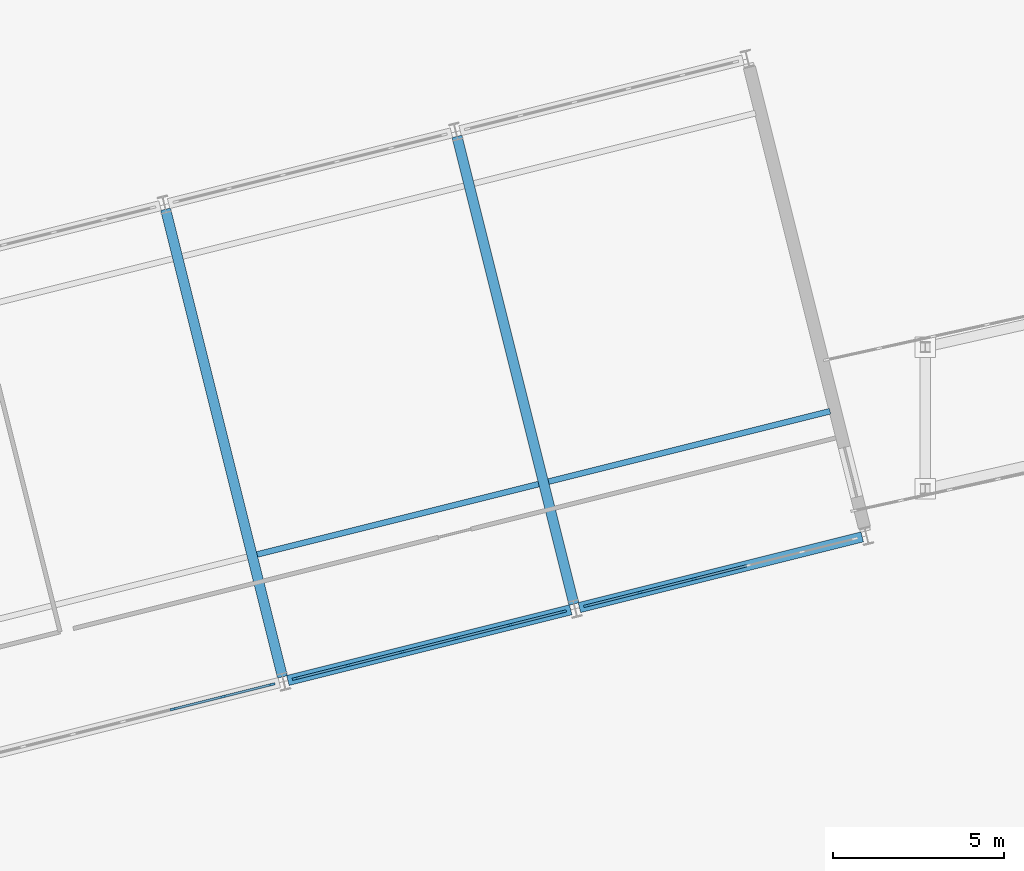
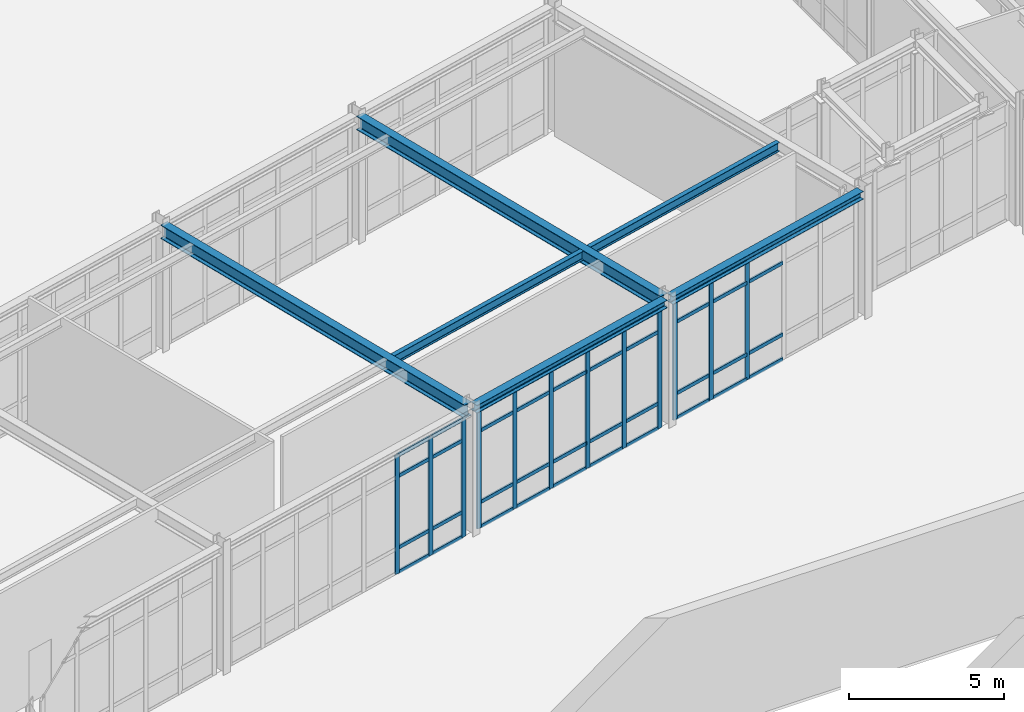
# One storey, part 30 of 109: 51 members, 6 beams, 3 elements without a shape of their own.
"""IFC4 building model written with IfcOpenShell, lengths in metres."""

import ifcopenshell
import ifcopenshell.guid

model = None  # the IFC model being written
_history = None  # IfcOwnerHistory: only IFC2X3 demands one
_inside = {}  # id of a spatial element -> (the spatial element, [elements in it])
_under = {}  # id of a project, library or spatial element -> (it, [spatial elements below it])
_declared = {}  # id of a project -> (the project, [libraries it declares])
_typed = {}  # id of a type object -> (the type object, [elements of that type])
_made_of = {}  # id of a material, layer set ... -> (it, [elements and type objects made of it])


def new_model(schema):
    """Start an empty IFC model of exactly this schema.

    Asked for "IFC4X3", IfcOpenShell would pick the latest addendum, in which some entities
    have other attributes; the version numbers below select the first issue.
    IFC2X3 requires an IfcOwnerHistory on every rooted entity: one is made here for all.
    """
    global model, _history
    if schema == "IFC4X3":
        model = ifcopenshell.file(schema_version=(4, 3, 0, 0))
    else:
        model = ifcopenshell.file(schema=schema)
    _inside.clear()
    _under.clear()
    _declared.clear()
    _typed.clear()
    _made_of.clear()
    _history = None
    if model.schema == "IFC2X3":
        org = make("IfcOrganization", Name="unknown")
        user = make(
            "IfcPersonAndOrganization",
            ThePerson=make("IfcPerson", FamilyName="unknown"),
            TheOrganization=org,
        )
        app = make(
            "IfcApplication",
            ApplicationDeveloper=org,
            Version="unknown",
            ApplicationFullName="unknown",
            ApplicationIdentifier="unknown",
        )
        _history = make(
            "IfcOwnerHistory",
            OwningUser=user,
            OwningApplication=app,
            ChangeAction="ADDED",
            CreationDate=0,
        )
    return model


def make(cls, **values):
    """One entity of the class cls with the attributes given. An attribute that is None is left unset."""
    return model.create_entity(
        cls, **{name: value for name, value in values.items() if value is not None}
    )


def rooted(cls, **values):
    """An entity with a GlobalId (a new one), such as an element, a storey or a relation."""
    return make(cls, GlobalId=ifcopenshell.guid.new(), OwnerHistory=_history, **values)


def si_unit(unit_type, name, prefix=None):
    """IfcSIUnit, for example si_unit("LENGTHUNIT", "METRE", prefix="MILLI")."""
    return make("IfcSIUnit", UnitType=unit_type, Prefix=prefix, Name=name)


def assignment(units):
    """IfcUnitAssignment: the units of a project."""
    return None if units is None else make("IfcUnitAssignment", Units=units)


def point(xyz):
    """IfcCartesianPoint."""
    return None if xyz is None else make("IfcCartesianPoint", Coordinates=xyz)


def direction(xyz):
    """IfcDirection."""
    return None if xyz is None else make("IfcDirection", DirectionRatios=xyz)


def frame(location, z_axis=None, x_axis=None):
    """IfcAxis2Placement3D, a coordinate frame: its origin and axes. An axis left out is left unset."""
    return make(
        "IfcAxis2Placement3D",
        Location=point(location),
        Axis=direction(z_axis),
        RefDirection=direction(x_axis),
    )


def frame_2d(location, x_axis=None):
    """IfcAxis2Placement2D, a coordinate frame in the plane: its origin and x axis."""
    return make(
        "IfcAxis2Placement2D", Location=point(location), RefDirection=direction(x_axis)
    )


def origin():
    """The frame at (0, 0, 0) with its axes left unset."""
    return frame((0.0, 0.0, 0.0))


def origin_2d():
    """The frame at (0, 0) in the plane with its x axis left unset."""
    return frame_2d((0.0, 0.0))


def place(relative_to, where):
    """IfcLocalPlacement: puts the frame where relative to a parent placement (None: the world)."""
    return make(
        "IfcLocalPlacement", PlacementRelTo=relative_to, RelativePlacement=where
    )


def context(
    kind, dimensions, precision=None, world=None, true_north=None, identifier=None
):
    """IfcGeometricRepresentationContext, for example the 3D "Model" context."""
    return make(
        "IfcGeometricRepresentationContext",
        ContextIdentifier=identifier,
        ContextType=kind,
        CoordinateSpaceDimension=dimensions,
        Precision=precision,
        WorldCoordinateSystem=world,
        TrueNorth=true_north,
    )


def subcontext(parent, identifier, kind, view, scale=None):
    """IfcGeometricRepresentationSubContext, for example "Body" below "Model"."""
    return make(
        "IfcGeometricRepresentationSubContext",
        ContextIdentifier=identifier,
        ContextType=kind,
        ParentContext=parent,
        TargetScale=scale,
        TargetView=view,
    )


def project(units=None, contexts=None):
    """IfcProject with its units and contexts."""
    return rooted(
        "IfcProject",
        Name="project",
        RepresentationContexts=contexts,
        UnitsInContext=assignment(units),
    )


def spatial(cls, under=None, at=None, **own):
    """A site, building, storey or space (cls), placed at a placement, below another one or the project."""
    s = rooted(cls, ObjectPlacement=at, **own)
    if under is not None:
        _under.setdefault(under.id(), (under, []))[1].append(s)
    return s


def profile(cls, at=None, kind="AREA", **sizes):
    """A parametric profile (cls). Its sizes go by their IFC names, for example OverallWidth=200.0."""
    return make(cls, ProfileType=kind, Position=at, **sizes)


def rectangle(**sizes):
    """IfcRectangleProfileDef."""
    return profile("IfcRectangleProfileDef", **sizes)


def i_section(**sizes):
    """IfcIShapeProfileDef."""
    return profile("IfcIShapeProfileDef", **sizes)


def extrude(swept, where, along, depth):
    """IfcExtrudedAreaSolid: the profile swept, set in the frame where, extruded along a direction by depth."""
    return make(
        "IfcExtrudedAreaSolid",
        SweptArea=swept,
        Position=where,
        ExtrudedDirection=direction(along),
        Depth=depth,
    )


def shape(context_of_items, identifier, shape_type, items):
    """IfcShapeRepresentation: the items that make up one representation, for example the "Body"."""
    return make(
        "IfcShapeRepresentation",
        ContextOfItems=context_of_items,
        RepresentationIdentifier=identifier,
        RepresentationType=shape_type,
        Items=items,
    )


def material(Name=None, Category=None):
    """IfcMaterial."""
    return make("IfcMaterial", Name=Name, Category=Category)


def layer(
    of_material, thickness, ventilated=None, Name=None, Category=None, Priority=None
):
    """IfcMaterialLayer: one layer of a wall or slab, of a material (None: an air gap)."""
    return make(
        "IfcMaterialLayer",
        Material=of_material,
        LayerThickness=thickness,
        IsVentilated=ventilated,
        Name=Name,
        Category=Category,
        Priority=Priority,
    )


def layer_set(layers, Name=None):
    """IfcMaterialLayerSet."""
    return make("IfcMaterialLayerSet", MaterialLayers=layers, LayerSetName=Name)


def material_profile(
    of_material, cross_section, Name=None, Category=None, Priority=None
):
    """IfcMaterialProfile: a cross section and its material."""
    return make(
        "IfcMaterialProfile",
        Name=Name,
        Material=of_material,
        Profile=cross_section,
        Priority=Priority,
        Category=Category,
    )


def profile_set(profiles, Name=None, composite=None):
    """IfcMaterialProfileSet."""
    return make(
        "IfcMaterialProfileSet",
        Name=Name,
        MaterialProfiles=profiles,
        CompositeProfile=composite,
    )


def made_of(thing, what):
    """Note that an element or type object is made of a material, layer set ...; save() writes the relation."""
    if what is not None:
        _made_of.setdefault(what.id(), (what, []))[1].append(thing)
    return thing


def type_object(cls, material=None, **own):
    """A type object (cls), such as IfcWallType, which elements share."""
    return made_of(rooted(cls, **own), material)


def element(
    cls,
    number,
    at=None,
    inside=None,
    cuts=None,
    type_object=None,
    material=None,
    context=None,
    identifier="Body",
    shape_type=None,
    held_by="IfcProductDefinitionShape",
    body=None,
    shapes=None,
    **own,
):
    """One element of the class cls, such as IfcWall. Its Tag is "e" and its number.

    at: its placement. inside: the storey or other place that contains it. cuts: it is an
    opening in that element (IfcRelVoidsElement). A single representation is given by context,
    identifier, shape_type and body (its items); several are given by shapes. held_by: the class
    of the entity that holds the representations. save() writes the other relations.
    """
    e = rooted(cls, Tag="e%d" % number, ObjectPlacement=at, **own)
    if body is not None:
        shapes = [shape(context, identifier, shape_type, body)]
    if shapes is not None:
        e.Representation = make(held_by, Representations=shapes)
    if inside is not None:
        _inside.setdefault(inside.id(), (inside, []))[1].append(e)
    if cuts is not None:
        rooted(
            "IfcRelVoidsElement", RelatingBuildingElement=cuts, RelatedOpeningElement=e
        )
    if type_object is not None:
        _typed.setdefault(type_object.id(), (type_object, []))[1].append(e)
    return made_of(e, material)


def aggregate(whole, parts):
    """IfcRelAggregates: a whole, such as a stair, and the parts it consists of."""
    return rooted("IfcRelAggregates", RelatingObject=whole, RelatedObjects=parts)


def save(model, path):
    """Write the relations noted so far, then the file.

    IfcRelAggregates (storeys below a building ...), IfcRelContainedInSpatialStructure (elements
    in a storey), IfcRelDefinesByType, IfcRelAssociatesMaterial and IfcRelDeclares: one each for
    every whole, place, type object, material and project.
    """
    for whole, parts in _under.values():
        aggregate(whole, parts)
    for where, things in _inside.values():
        rooted(
            "IfcRelContainedInSpatialStructure",
            RelatedElements=things,
            RelatingStructure=where,
        )
    for kind, things in _typed.values():
        rooted("IfcRelDefinesByType", RelatedObjects=things, RelatingType=kind)
    for what, things in _made_of.values():
        rooted("IfcRelAssociatesMaterial", RelatedObjects=things, RelatingMaterial=what)
    for by, libraries in _declared.values():
        rooted("IfcRelDeclares", RelatingContext=by, RelatedDefinitions=libraries)
    model.write(path)


model = new_model("IFC4")

# Units and contexts
model_context = context("Model", 3, precision=1e-05, world=origin(), true_north=direction((0.0, 1.0)))
body_context = subcontext(model_context, "Body", "Model", "MODEL_VIEW")
ifc_project = project(units=[si_unit("LENGTHUNIT", "METRE"), si_unit("AREAUNIT", "SQUARE_METRE"), si_unit("VOLUMEUNIT", "CUBIC_METRE"), si_unit("PLANEANGLEUNIT", "RADIAN"), si_unit("MASSUNIT", "GRAM", prefix="KILO")], contexts=[model_context])

# Site, building, storey
site_placement = place(None, origin())
site = spatial("IfcSite", under=ifc_project, at=site_placement, CompositionType="ELEMENT")
building_placement = place(site_placement, origin())
building = spatial("IfcBuilding", under=site, at=building_placement, Name="Nordkorset Police Headquarters", CompositionType="ELEMENT")
storey_placement = place(building_placement, origin())
storey = spatial("IfcBuildingStorey", under=building, at=storey_placement, Name="L00", CompositionType="ELEMENT", Elevation=0.0)

# Beams
ifc_material_1 = material(Name="Steel S355J2", Category="steel")
ifc_material_profile_1 = material_profile(ifc_material_1, i_section(OverallWidth=0.169921875, OverallDepth=0.360107421875, WebThickness=0.008056640625, FlangeThickness=0.0126953125, FilletRadius=0.01806640625, at=origin_2d()), Name="IPE 360")
ifc_profile_set_1 = profile_set([ifc_material_profile_1], Name="Steel S355J2")
beam_type_1 = type_object("IfcBeamType", Name="Beam_IPE_360", PredefinedType="BEAM", material=ifc_profile_set_1)
for number, where, z_axis, x_axis, name in (
    (1, (61.629638671875, 55.42431640625, 4.820068359375), (0.970142500145, 0.242535625036, 0.0), (-0.242535625036, 0.970142500145, 0.0), "Splayed Wing Secondary Beam L00 4-1"),
    (2, (70.166748046875, 57.55859375, 4.820068359375), (0.970144189653, 0.242528866904, 0.0), (-0.242528866904, 0.970144189653, 0.0), "Splayed Wing Secondary Beam L00 5-1"),
):
    element("IfcBeam", number, at=place(storey_placement, frame(where, z_axis=z_axis, x_axis=x_axis)), inside=storey, type_object=beam_type_1, Name=name, PredefinedType="BEAM", context=body_context, shape_type="SweptSolid", body=[
        extrude(i_section(OverallWidth=0.169921875, OverallDepth=0.360107421875, WebThickness=0.008056640625, FlangeThickness=0.0126953125, FilletRadius=0.01806640625, at=origin_2d()), origin(), (0.0, 0.0, 1.0), 8.5),
    ])

# Curtain wall, members
ifc_material_2 = material(Name="Aluminium alloy AW-6060", Category="aluminium")
ifc_layer_1 = layer(ifc_material_2, 0.179931640625, Name="Aluminium alloy AW-6060")
ifc_layer_set_1 = layer_set([ifc_layer_1], Name="Aluminium alloy AW-6060")
curtain_wall_type_1 = type_object("IfcCurtainWallType", Name="CW_Unit_1056x467", PredefinedType="USERDEFINED", material=ifc_layer_set_1)
curtain_wall_1_placement = place(storey_placement, origin())
curtain_wall_1 = element("IfcCurtainWall", 3, at=curtain_wall_1_placement, inside=storey, type_object=curtain_wall_type_1, Name="Unitised Curtain Wall L00 V4S-3", ObjectType="UNITISED CURTAIN WALL", PredefinedType="USERDEFINED")
ifc_material_3 = material(Name="Aluminium alloy AW-6060", Category="aluminium")
ifc_material_profile_2 = material_profile(ifc_material_3, rectangle(XDim=0.06494140625, YDim=0.179931640625, at=origin_2d()), Name="ALU MULL 65x180")
ifc_profile_set_2 = profile_set([ifc_material_profile_2], Name="Aluminium alloy AW-6060")
member_type_1 = type_object("IfcMemberType", Name="CW_Mullion_65x180", PredefinedType="MULLION", material=ifc_profile_set_2)
member_1_placement = place(storey_placement, frame((59.168212890625, 50.89208984375, 0.0), z_axis=(0.0, 0.0, 1.0), x_axis=(-0.242535179399, 0.970142611554, 0.0)))
member_1 = element("IfcMember", 4, at=member_1_placement, type_object=member_type_1, Name="CW-18 mullion 6", PredefinedType="MULLION", context=body_context, shape_type="SweptSolid", body=[
    extrude(rectangle(XDim=0.06494140625, YDim=0.179931640625, at=origin_2d()), origin(), (0.0, 0.0, 1.0), 4.669921875),
])
member_2_placement = place(storey_placement, frame((60.6318359375, 51.2578125, 0.0), z_axis=(0.0, 0.0, 1.0), x_axis=(-0.242535179399, 0.970142611554, 0.0)))
member_2 = element("IfcMember", 5, at=member_2_placement, type_object=member_type_1, Name="CW-18 mullion 7", PredefinedType="MULLION", context=body_context, shape_type="SweptSolid", body=[
    extrude(rectangle(XDim=0.06494140625, YDim=0.179931640625, at=origin_2d()), origin(), (0.0, 0.0, 1.0), 4.669921875),
])
member_3_placement = place(storey_placement, frame((62.063720703125, 51.615966796875, 0.0), z_axis=(0.0, 0.0, 1.0), x_axis=(-0.242535179399, 0.970142611554, 0.0)))
member_3 = element("IfcMember", 6, at=member_3_placement, type_object=member_type_1, Name="CW-18 mullion 8", PredefinedType="MULLION", context=body_context, shape_type="SweptSolid", body=[
    extrude(rectangle(XDim=0.06494140625, YDim=0.179931640625, at=origin_2d()), origin(), (0.0, 0.0, 1.0), 4.669921875),
])

ifc_material_4 = material(Name="Aluminium alloy AW-6060", Category="aluminium")
ifc_layer_2 = layer(ifc_material_4, 0.179931640625, Name="Aluminium alloy AW-6060")
ifc_layer_set_2 = layer_set([ifc_layer_2], Name="Aluminium alloy AW-6060")
curtain_wall_type_2 = type_object("IfcCurtainWallType", Name="CW_Unit_816x467", PredefinedType="USERDEFINED", material=ifc_layer_set_2)
curtain_wall_2_placement = place(storey_placement, origin())
curtain_wall_2 = element("IfcCurtainWall", 7, at=curtain_wall_2_placement, inside=storey, type_object=curtain_wall_type_2, Name="Unitised Curtain Wall L00 V4S-4", ObjectType="UNITISED CURTAIN WALL", PredefinedType="USERDEFINED")
member_4_placement = place(storey_placement, frame((62.74755859375, 51.786865234375, 0.0), z_axis=(0.0, 0.0, 1.0), x_axis=(-0.242535625038, 0.970142500145, 0.0)))
member_4 = element("IfcMember", 8, at=member_4_placement, type_object=member_type_1, Name="CW-80 mullion 1", PredefinedType="MULLION", context=body_context, shape_type="SweptSolid", body=[
    extrude(rectangle(XDim=0.06494140625, YDim=0.179931640625, at=origin_2d()), origin(), (0.0, 0.0, 1.0), 4.669921875),
])
member_5_placement = place(storey_placement, frame((64.29931640625, 52.1748046875, 0.0), z_axis=(0.0, 0.0, 1.0), x_axis=(-0.242535625038, 0.970142500145, 0.0)))
member_5 = element("IfcMember", 9, at=member_5_placement, type_object=member_type_1, Name="CW-80 mullion 2", PredefinedType="MULLION", context=body_context, shape_type="SweptSolid", body=[
    extrude(rectangle(XDim=0.06494140625, YDim=0.179931640625, at=origin_2d()), origin(), (0.0, 0.0, 1.0), 4.669921875),
])
member_6_placement = place(storey_placement, frame((65.8828125, 52.570556640625, 0.0), z_axis=(0.0, 0.0, 1.0), x_axis=(-0.242535625038, 0.970142500145, 0.0)))
member_6 = element("IfcMember", 10, at=member_6_placement, type_object=member_type_1, Name="CW-80 mullion 3", PredefinedType="MULLION", context=body_context, shape_type="SweptSolid", body=[
    extrude(rectangle(XDim=0.06494140625, YDim=0.179931640625, at=origin_2d()), origin(), (0.0, 0.0, 1.0), 4.669921875),
])
member_7_placement = place(storey_placement, frame((67.466064453125, 52.966552734375, 0.0), z_axis=(0.0, 0.0, 1.0), x_axis=(-0.242535625038, 0.970142500145, 0.0)))
member_7 = element("IfcMember", 11, at=member_7_placement, type_object=member_type_1, Name="CW-80 mullion 4", PredefinedType="MULLION", context=body_context, shape_type="SweptSolid", body=[
    extrude(rectangle(XDim=0.06494140625, YDim=0.179931640625, at=origin_2d()), origin(), (0.0, 0.0, 1.0), 4.669921875),
])
member_8_placement = place(storey_placement, frame((69.04931640625, 53.3623046875, 0.0), z_axis=(0.0, 0.0, 1.0), x_axis=(-0.242535625038, 0.970142500145, 0.0)))
member_8 = element("IfcMember", 12, at=member_8_placement, type_object=member_type_1, Name="CW-80 mullion 5", PredefinedType="MULLION", context=body_context, shape_type="SweptSolid", body=[
    extrude(rectangle(XDim=0.06494140625, YDim=0.179931640625, at=origin_2d()), origin(), (0.0, 0.0, 1.0), 4.669921875),
])
member_9_placement = place(storey_placement, frame((70.60107421875, 53.750244140625, 0.0), z_axis=(0.0, 0.0, 1.0), x_axis=(-0.242535625038, 0.970142500145, 0.0)))
member_9 = element("IfcMember", 13, at=member_9_placement, type_object=member_type_1, Name="CW-80 mullion 6", PredefinedType="MULLION", context=body_context, shape_type="SweptSolid", body=[
    extrude(rectangle(XDim=0.06494140625, YDim=0.179931640625, at=origin_2d()), origin(), (0.0, 0.0, 1.0), 4.669921875),
])

curtain_wall_3_placement = place(storey_placement, origin())
curtain_wall_3 = element("IfcCurtainWall", 14, at=curtain_wall_3_placement, inside=storey, type_object=curtain_wall_type_2, Name="Unitised Curtain Wall L00 V4S-5", ObjectType="UNITISED CURTAIN WALL", PredefinedType="USERDEFINED")
member_10_placement = place(storey_placement, frame((71.284912109375, 53.921142578125, 0.0), z_axis=(0.0, 0.0, 1.0), x_axis=(-0.242535625038, 0.970142500145, 0.0)))
member_10 = element("IfcMember", 15, at=member_10_placement, type_object=member_type_1, Name="CW-80 mullion 1", PredefinedType="MULLION", context=body_context, shape_type="SweptSolid", body=[
    extrude(rectangle(XDim=0.06494140625, YDim=0.179931640625, at=origin_2d()), origin(), (0.0, 0.0, 1.0), 4.669921875),
])
member_11_placement = place(storey_placement, frame((72.836669921875, 54.30908203125, 0.0), z_axis=(0.0, 0.0, 1.0), x_axis=(-0.242535625038, 0.970142500145, 0.0)))
member_11 = element("IfcMember", 16, at=member_11_placement, type_object=member_type_1, Name="CW-80 mullion 2", PredefinedType="MULLION", context=body_context, shape_type="SweptSolid", body=[
    extrude(rectangle(XDim=0.06494140625, YDim=0.179931640625, at=origin_2d()), origin(), (0.0, 0.0, 1.0), 4.669921875),
])
member_12_placement = place(storey_placement, frame((74.419921875, 54.705078125, 0.0), z_axis=(0.0, 0.0, 1.0), x_axis=(-0.242535625038, 0.970142500145, 0.0)))
member_12 = element("IfcMember", 17, at=member_12_placement, type_object=member_type_1, Name="CW-80 mullion 3", PredefinedType="MULLION", context=body_context, shape_type="SweptSolid", body=[
    extrude(rectangle(XDim=0.06494140625, YDim=0.179931640625, at=origin_2d()), origin(), (0.0, 0.0, 1.0), 4.669921875),
])

# Member
ifc_material_5 = material(Name="Aluminium alloy AW-6060", Category="aluminium")
ifc_material_profile_3 = material_profile(ifc_material_5, rectangle(XDim=0.06494140625, YDim=0.139892578125, at=origin_2d()), Name="ALU TRAN 65x140")
ifc_profile_set_3 = profile_set([ifc_material_profile_3], Name="Aluminium alloy AW-6060")
member_type_2 = type_object("IfcMemberType", Name="CW_Transom_65x140", PredefinedType="USERDEFINED", material=ifc_profile_set_3)
member_13_placement = place(storey_placement, frame((59.19970703125, 50.89990234375, 0.032470703125), z_axis=(0.970142500145, 0.242535625036, 0.0), x_axis=(-0.242535625036, 0.970142500145, 0.0)))
member_13 = element("IfcMember", 18, at=member_13_placement, type_object=member_type_2, Name="CW-18 transom 6.1", ObjectType="TRANSOM", PredefinedType="USERDEFINED", context=body_context, shape_type="SweptSolid", body=[
    extrude(rectangle(XDim=0.06494140625, YDim=0.139892578125, at=origin_2d()), origin(), (0.0, 0.0, 1.0), 1.443603515625),
])

member_14_placement = place(storey_placement, frame((59.19970703125, 50.89990234375, 1.0), z_axis=(0.970142500145, 0.242535625036, 0.0), x_axis=(-0.242535625036, 0.970142500145, 0.0)))
member_14 = element("IfcMember", 19, at=member_14_placement, type_object=member_type_2, Name="CW-18 transom 6.2", ObjectType="TRANSOM", PredefinedType="USERDEFINED", context=body_context, shape_type="SweptSolid", body=[
    extrude(rectangle(XDim=0.06494140625, YDim=0.139892578125, at=origin_2d()), origin(), (0.0, 0.0, 1.0), 1.443603515625),
])

member_15_placement = place(storey_placement, frame((59.19970703125, 50.89990234375, 3.820068359375), z_axis=(0.970142500145, 0.242535625036, 0.0), x_axis=(-0.242535625036, 0.970142500145, 0.0)))
member_15 = element("IfcMember", 20, at=member_15_placement, type_object=member_type_2, Name="CW-18 transom 6.3", ObjectType="TRANSOM", PredefinedType="USERDEFINED", context=body_context, shape_type="SweptSolid", body=[
    extrude(rectangle(XDim=0.06494140625, YDim=0.139892578125, at=origin_2d()), origin(), (0.0, 0.0, 1.0), 1.443603515625),
])

member_16_placement = place(storey_placement, frame((59.19970703125, 50.89990234375, 4.637451171875), z_axis=(0.970142500145, 0.242535625036, 0.0), x_axis=(-0.242535625036, 0.970142500145, 0.0)))
member_16 = element("IfcMember", 21, at=member_16_placement, type_object=member_type_2, Name="CW-18 transom 6.4", ObjectType="TRANSOM", PredefinedType="USERDEFINED", context=body_context, shape_type="SweptSolid", body=[
    extrude(rectangle(XDim=0.06494140625, YDim=0.139892578125, at=origin_2d()), origin(), (0.0, 0.0, 1.0), 1.443603515625),
])

member_17_placement = place(storey_placement, frame((60.663330078125, 51.265869140625, 0.032470703125), z_axis=(0.970132321548, 0.242576335796, 0.0), x_axis=(-0.242576335796, 0.970132321548, 0.0)))
member_17 = element("IfcMember", 22, at=member_17_placement, type_object=member_type_2, Name="CW-18 transom 7.1", ObjectType="TRANSOM", PredefinedType="USERDEFINED", context=body_context, shape_type="SweptSolid", body=[
    extrude(rectangle(XDim=0.06494140625, YDim=0.139892578125, at=origin_2d()), origin(), (0.0, 0.0, 1.0), 1.4111328125),
])

member_18_placement = place(storey_placement, frame((60.663330078125, 51.265869140625, 1.0), z_axis=(0.970132321548, 0.242576335796, 0.0), x_axis=(-0.242576335796, 0.970132321548, 0.0)))
member_18 = element("IfcMember", 23, at=member_18_placement, type_object=member_type_2, Name="CW-18 transom 7.2", ObjectType="TRANSOM", PredefinedType="USERDEFINED", context=body_context, shape_type="SweptSolid", body=[
    extrude(rectangle(XDim=0.06494140625, YDim=0.139892578125, at=origin_2d()), origin(), (0.0, 0.0, 1.0), 1.4111328125),
])

member_19_placement = place(storey_placement, frame((60.663330078125, 51.265869140625, 3.820068359375), z_axis=(0.970132321548, 0.242576335796, 0.0), x_axis=(-0.242576335796, 0.970132321548, 0.0)))
member_19 = element("IfcMember", 24, at=member_19_placement, type_object=member_type_2, Name="CW-18 transom 7.3", ObjectType="TRANSOM", PredefinedType="USERDEFINED", context=body_context, shape_type="SweptSolid", body=[
    extrude(rectangle(XDim=0.06494140625, YDim=0.139892578125, at=origin_2d()), origin(), (0.0, 0.0, 1.0), 1.4111328125),
])

member_20_placement = place(storey_placement, frame((60.663330078125, 51.265869140625, 4.637451171875), z_axis=(0.970132321548, 0.242576335796, 0.0), x_axis=(-0.242576335796, 0.970132321548, 0.0)))
member_20 = element("IfcMember", 25, at=member_20_placement, type_object=member_type_2, Name="CW-18 transom 7.4", ObjectType="TRANSOM", PredefinedType="USERDEFINED", context=body_context, shape_type="SweptSolid", body=[
    extrude(rectangle(XDim=0.06494140625, YDim=0.139892578125, at=origin_2d()), origin(), (0.0, 0.0, 1.0), 1.4111328125),
])

aggregate(curtain_wall_1, [member_1, member_2, member_3, member_13, member_14, member_15, member_16, member_17, member_18, member_19, member_20])

member_21_placement = place(storey_placement, frame((62.779296875, 51.794921875, 0.032470703125), z_axis=(0.970151859396, 0.242498184963, 0.0), x_axis=(-0.242498184963, 0.970151859396, 0.0)))
member_21 = element("IfcMember", 26, at=member_21_placement, type_object=member_type_2, Name="CW-80 transom 1.1", ObjectType="TRANSOM", PredefinedType="USERDEFINED", context=body_context, shape_type="SweptSolid", body=[
    extrude(rectangle(XDim=0.06494140625, YDim=0.139892578125, at=origin_2d()), origin(), (0.0, 0.0, 1.0), 1.534423828125),
])

member_22_placement = place(storey_placement, frame((62.779296875, 51.794921875, 1.0), z_axis=(0.970151859396, 0.242498184963, 0.0), x_axis=(-0.242498184963, 0.970151859396, 0.0)))
member_22 = element("IfcMember", 27, at=member_22_placement, type_object=member_type_2, Name="CW-80 transom 1.2", ObjectType="TRANSOM", PredefinedType="USERDEFINED", context=body_context, shape_type="SweptSolid", body=[
    extrude(rectangle(XDim=0.06494140625, YDim=0.139892578125, at=origin_2d()), origin(), (0.0, 0.0, 1.0), 1.534423828125),
])

member_23_placement = place(storey_placement, frame((62.779296875, 51.794921875, 3.820068359375), z_axis=(0.970151859396, 0.242498184963, 0.0), x_axis=(-0.242498184963, 0.970151859396, 0.0)))
member_23 = element("IfcMember", 28, at=member_23_placement, type_object=member_type_2, Name="CW-80 transom 1.3", ObjectType="TRANSOM", PredefinedType="USERDEFINED", context=body_context, shape_type="SweptSolid", body=[
    extrude(rectangle(XDim=0.06494140625, YDim=0.139892578125, at=origin_2d()), origin(), (0.0, 0.0, 1.0), 1.534423828125),
])

member_24_placement = place(storey_placement, frame((62.779296875, 51.794921875, 4.637451171875), z_axis=(0.970151859396, 0.242498184963, 0.0), x_axis=(-0.242498184963, 0.970151859396, 0.0)))
member_24 = element("IfcMember", 29, at=member_24_placement, type_object=member_type_2, Name="CW-80 transom 1.4", ObjectType="TRANSOM", PredefinedType="USERDEFINED", context=body_context, shape_type="SweptSolid", body=[
    extrude(rectangle(XDim=0.06494140625, YDim=0.139892578125, at=origin_2d()), origin(), (0.0, 0.0, 1.0), 1.534423828125),
])

member_25_placement = place(storey_placement, frame((64.3310546875, 52.182861328125, 0.032470703125), z_axis=(0.970160829621, 0.242462295357, 0.0), x_axis=(-0.242462295357, 0.970160829621, 0.0)))
member_25 = element("IfcMember", 30, at=member_25_placement, type_object=member_type_2, Name="CW-80 transom 2.1", ObjectType="TRANSOM", PredefinedType="USERDEFINED", context=body_context, shape_type="SweptSolid", body=[
    extrude(rectangle(XDim=0.06494140625, YDim=0.139892578125, at=origin_2d()), origin(), (0.0, 0.0, 1.0), 1.566650390625),
])

member_26_placement = place(storey_placement, frame((64.3310546875, 52.182861328125, 1.0), z_axis=(0.970160829621, 0.242462295357, 0.0), x_axis=(-0.242462295357, 0.970160829621, 0.0)))
member_26 = element("IfcMember", 31, at=member_26_placement, type_object=member_type_2, Name="CW-80 transom 2.2", ObjectType="TRANSOM", PredefinedType="USERDEFINED", context=body_context, shape_type="SweptSolid", body=[
    extrude(rectangle(XDim=0.06494140625, YDim=0.139892578125, at=origin_2d()), origin(), (0.0, 0.0, 1.0), 1.566650390625),
])

member_27_placement = place(storey_placement, frame((64.3310546875, 52.182861328125, 3.820068359375), z_axis=(0.970160829621, 0.242462295357, 0.0), x_axis=(-0.242462295357, 0.970160829621, 0.0)))
member_27 = element("IfcMember", 32, at=member_27_placement, type_object=member_type_2, Name="CW-80 transom 2.3", ObjectType="TRANSOM", PredefinedType="USERDEFINED", context=body_context, shape_type="SweptSolid", body=[
    extrude(rectangle(XDim=0.06494140625, YDim=0.139892578125, at=origin_2d()), origin(), (0.0, 0.0, 1.0), 1.566650390625),
])

member_28_placement = place(storey_placement, frame((64.3310546875, 52.182861328125, 4.637451171875), z_axis=(0.970160829621, 0.242462295357, 0.0), x_axis=(-0.242462295357, 0.970160829621, 0.0)))
member_28 = element("IfcMember", 33, at=member_28_placement, type_object=member_type_2, Name="CW-80 transom 2.4", ObjectType="TRANSOM", PredefinedType="USERDEFINED", context=body_context, shape_type="SweptSolid", body=[
    extrude(rectangle(XDim=0.06494140625, YDim=0.139892578125, at=origin_2d()), origin(), (0.0, 0.0, 1.0), 1.566650390625),
])

member_29_placement = place(storey_placement, frame((65.914306640625, 52.57861328125, 0.032470703125), z_axis=(0.970160829621, 0.242462295357, 0.0), x_axis=(-0.242462295357, 0.970160829621, 0.0)))
member_29 = element("IfcMember", 34, at=member_29_placement, type_object=member_type_2, Name="CW-80 transom 3.1", ObjectType="TRANSOM", PredefinedType="USERDEFINED", context=body_context, shape_type="SweptSolid", body=[
    extrude(rectangle(XDim=0.06494140625, YDim=0.139892578125, at=origin_2d()), origin(), (0.0, 0.0, 1.0), 1.566650390625),
])

member_30_placement = place(storey_placement, frame((65.914306640625, 52.57861328125, 1.0), z_axis=(0.970160829621, 0.242462295357, 0.0), x_axis=(-0.242462295357, 0.970160829621, 0.0)))
member_30 = element("IfcMember", 35, at=member_30_placement, type_object=member_type_2, Name="CW-80 transom 3.2", ObjectType="TRANSOM", PredefinedType="USERDEFINED", context=body_context, shape_type="SweptSolid", body=[
    extrude(rectangle(XDim=0.06494140625, YDim=0.139892578125, at=origin_2d()), origin(), (0.0, 0.0, 1.0), 1.566650390625),
])

member_31_placement = place(storey_placement, frame((65.914306640625, 52.57861328125, 3.820068359375), z_axis=(0.970160829621, 0.242462295357, 0.0), x_axis=(-0.242462295357, 0.970160829621, 0.0)))
member_31 = element("IfcMember", 36, at=member_31_placement, type_object=member_type_2, Name="CW-80 transom 3.3", ObjectType="TRANSOM", PredefinedType="USERDEFINED", context=body_context, shape_type="SweptSolid", body=[
    extrude(rectangle(XDim=0.06494140625, YDim=0.139892578125, at=origin_2d()), origin(), (0.0, 0.0, 1.0), 1.566650390625),
])

member_32_placement = place(storey_placement, frame((65.914306640625, 52.57861328125, 4.637451171875), z_axis=(0.970160829621, 0.242462295357, 0.0), x_axis=(-0.242462295357, 0.970160829621, 0.0)))
member_32 = element("IfcMember", 37, at=member_32_placement, type_object=member_type_2, Name="CW-80 transom 3.4", ObjectType="TRANSOM", PredefinedType="USERDEFINED", context=body_context, shape_type="SweptSolid", body=[
    extrude(rectangle(XDim=0.06494140625, YDim=0.139892578125, at=origin_2d()), origin(), (0.0, 0.0, 1.0), 1.566650390625),
])

member_33_placement = place(storey_placement, frame((67.49755859375, 52.974365234375, 0.032470703125), z_axis=(0.970133335061, 0.24257228243, 0.0), x_axis=(-0.24257228243, 0.970133335061, 0.0)))
member_33 = element("IfcMember", 38, at=member_33_placement, type_object=member_type_2, Name="CW-80 transom 4.1", ObjectType="TRANSOM", PredefinedType="USERDEFINED", context=body_context, shape_type="SweptSolid", body=[
    extrude(rectangle(XDim=0.06494140625, YDim=0.139892578125, at=origin_2d()), origin(), (0.0, 0.0, 1.0), 1.567138671875),
])

member_34_placement = place(storey_placement, frame((67.49755859375, 52.974365234375, 1.0), z_axis=(0.970133335061, 0.24257228243, 0.0), x_axis=(-0.24257228243, 0.970133335061, 0.0)))
member_34 = element("IfcMember", 39, at=member_34_placement, type_object=member_type_2, Name="CW-80 transom 4.2", ObjectType="TRANSOM", PredefinedType="USERDEFINED", context=body_context, shape_type="SweptSolid", body=[
    extrude(rectangle(XDim=0.06494140625, YDim=0.139892578125, at=origin_2d()), origin(), (0.0, 0.0, 1.0), 1.567138671875),
])

member_35_placement = place(storey_placement, frame((67.49755859375, 52.974365234375, 3.820068359375), z_axis=(0.970133335061, 0.24257228243, 0.0), x_axis=(-0.24257228243, 0.970133335061, 0.0)))
member_35 = element("IfcMember", 40, at=member_35_placement, type_object=member_type_2, Name="CW-80 transom 4.3", ObjectType="TRANSOM", PredefinedType="USERDEFINED", context=body_context, shape_type="SweptSolid", body=[
    extrude(rectangle(XDim=0.06494140625, YDim=0.139892578125, at=origin_2d()), origin(), (0.0, 0.0, 1.0), 1.567138671875),
])

member_36_placement = place(storey_placement, frame((67.49755859375, 52.974365234375, 4.637451171875), z_axis=(0.970133335061, 0.24257228243, 0.0), x_axis=(-0.24257228243, 0.970133335061, 0.0)))
member_36 = element("IfcMember", 41, at=member_36_placement, type_object=member_type_2, Name="CW-80 transom 4.4", ObjectType="TRANSOM", PredefinedType="USERDEFINED", context=body_context, shape_type="SweptSolid", body=[
    extrude(rectangle(XDim=0.06494140625, YDim=0.139892578125, at=origin_2d()), origin(), (0.0, 0.0, 1.0), 1.567138671875),
])

member_37_placement = place(storey_placement, frame((69.080810546875, 53.3701171875, 0.032470703125), z_axis=(0.970114414808, 0.242647938754, 0.0), x_axis=(-0.242647938754, 0.970114414808, 0.0)))
member_37 = element("IfcMember", 42, at=member_37_placement, type_object=member_type_2, Name="CW-80 transom 5.1", ObjectType="TRANSOM", PredefinedType="USERDEFINED", context=body_context, shape_type="SweptSolid", body=[
    extrude(rectangle(XDim=0.06494140625, YDim=0.139892578125, at=origin_2d()), origin(), (0.0, 0.0, 1.0), 1.534423828125),
])

member_38_placement = place(storey_placement, frame((69.080810546875, 53.3701171875, 1.0), z_axis=(0.970114414808, 0.242647938754, 0.0), x_axis=(-0.242647938754, 0.970114414808, 0.0)))
member_38 = element("IfcMember", 43, at=member_38_placement, type_object=member_type_2, Name="CW-80 transom 5.2", ObjectType="TRANSOM", PredefinedType="USERDEFINED", context=body_context, shape_type="SweptSolid", body=[
    extrude(rectangle(XDim=0.06494140625, YDim=0.139892578125, at=origin_2d()), origin(), (0.0, 0.0, 1.0), 1.534423828125),
])

member_39_placement = place(storey_placement, frame((69.080810546875, 53.3701171875, 3.820068359375), z_axis=(0.970114414808, 0.242647938754, 0.0), x_axis=(-0.242647938754, 0.970114414808, 0.0)))
member_39 = element("IfcMember", 44, at=member_39_placement, type_object=member_type_2, Name="CW-80 transom 5.3", ObjectType="TRANSOM", PredefinedType="USERDEFINED", context=body_context, shape_type="SweptSolid", body=[
    extrude(rectangle(XDim=0.06494140625, YDim=0.139892578125, at=origin_2d()), origin(), (0.0, 0.0, 1.0), 1.534423828125),
])

member_40_placement = place(storey_placement, frame((69.080810546875, 53.3701171875, 4.637451171875), z_axis=(0.970114414808, 0.242647938754, 0.0), x_axis=(-0.242647938754, 0.970114414808, 0.0)))
member_40 = element("IfcMember", 45, at=member_40_placement, type_object=member_type_2, Name="CW-80 transom 5.4", ObjectType="TRANSOM", PredefinedType="USERDEFINED", context=body_context, shape_type="SweptSolid", body=[
    extrude(rectangle(XDim=0.06494140625, YDim=0.139892578125, at=origin_2d()), origin(), (0.0, 0.0, 1.0), 1.534423828125),
])

aggregate(curtain_wall_2, [member_4, member_5, member_6, member_7, member_8, member_9, member_21, member_22, member_23, member_24, member_25, member_26, member_27, member_28, member_29, member_30, member_31, member_32, member_33, member_34, member_35, member_36, member_37, member_38, member_39, member_40])

member_41_placement = place(storey_placement, frame((71.31640625, 53.92919921875, 0.032470703125), z_axis=(0.970161214313, 0.242460756086, 0.0), x_axis=(-0.242460756086, 0.970161214313, 0.0)))
member_41 = element("IfcMember", 46, at=member_41_placement, type_object=member_type_2, Name="CW-80 transom 1.1", ObjectType="TRANSOM", PredefinedType="USERDEFINED", context=body_context, shape_type="SweptSolid", body=[
    extrude(rectangle(XDim=0.06494140625, YDim=0.139892578125, at=origin_2d()), origin(), (0.0, 0.0, 1.0), 1.53466796875),
])

member_42_placement = place(storey_placement, frame((71.31640625, 53.92919921875, 1.0), z_axis=(0.970161214313, 0.242460756086, 0.0), x_axis=(-0.242460756086, 0.970161214313, 0.0)))
member_42 = element("IfcMember", 47, at=member_42_placement, type_object=member_type_2, Name="CW-80 transom 1.2", ObjectType="TRANSOM", PredefinedType="USERDEFINED", context=body_context, shape_type="SweptSolid", body=[
    extrude(rectangle(XDim=0.06494140625, YDim=0.139892578125, at=origin_2d()), origin(), (0.0, 0.0, 1.0), 1.53466796875),
])

member_43_placement = place(storey_placement, frame((71.31640625, 53.92919921875, 3.820068359375), z_axis=(0.970161214313, 0.242460756086, 0.0), x_axis=(-0.242460756086, 0.970161214313, 0.0)))
member_43 = element("IfcMember", 48, at=member_43_placement, type_object=member_type_2, Name="CW-80 transom 1.3", ObjectType="TRANSOM", PredefinedType="USERDEFINED", context=body_context, shape_type="SweptSolid", body=[
    extrude(rectangle(XDim=0.06494140625, YDim=0.139892578125, at=origin_2d()), origin(), (0.0, 0.0, 1.0), 1.53466796875),
])

member_44_placement = place(storey_placement, frame((71.31640625, 53.92919921875, 4.637451171875), z_axis=(0.970161214313, 0.242460756086, 0.0), x_axis=(-0.242460756086, 0.970161214313, 0.0)))
member_44 = element("IfcMember", 49, at=member_44_placement, type_object=member_type_2, Name="CW-80 transom 1.4", ObjectType="TRANSOM", PredefinedType="USERDEFINED", context=body_context, shape_type="SweptSolid", body=[
    extrude(rectangle(XDim=0.06494140625, YDim=0.139892578125, at=origin_2d()), origin(), (0.0, 0.0, 1.0), 1.53466796875),
])

member_45_placement = place(storey_placement, frame((72.8681640625, 54.317138671875, 0.032470703125), z_axis=(0.970169988125, 0.242425646623, 0.0), x_axis=(-0.242425646623, 0.970169988125, 0.0)))
member_45 = element("IfcMember", 50, at=member_45_placement, type_object=member_type_2, Name="CW-80 transom 2.1", ObjectType="TRANSOM", PredefinedType="USERDEFINED", context=body_context, shape_type="SweptSolid", body=[
    extrude(rectangle(XDim=0.06494140625, YDim=0.139892578125, at=origin_2d()), origin(), (0.0, 0.0, 1.0), 1.56689453125),
])

member_46_placement = place(storey_placement, frame((72.8681640625, 54.317138671875, 1.0), z_axis=(0.970169988125, 0.242425646623, 0.0), x_axis=(-0.242425646623, 0.970169988125, 0.0)))
member_46 = element("IfcMember", 51, at=member_46_placement, type_object=member_type_2, Name="CW-80 transom 2.2", ObjectType="TRANSOM", PredefinedType="USERDEFINED", context=body_context, shape_type="SweptSolid", body=[
    extrude(rectangle(XDim=0.06494140625, YDim=0.139892578125, at=origin_2d()), origin(), (0.0, 0.0, 1.0), 1.56689453125),
])

member_47_placement = place(storey_placement, frame((72.8681640625, 54.317138671875, 3.820068359375), z_axis=(0.970169988125, 0.242425646623, 0.0), x_axis=(-0.242425646623, 0.970169988125, 0.0)))
member_47 = element("IfcMember", 52, at=member_47_placement, type_object=member_type_2, Name="CW-80 transom 2.3", ObjectType="TRANSOM", PredefinedType="USERDEFINED", context=body_context, shape_type="SweptSolid", body=[
    extrude(rectangle(XDim=0.06494140625, YDim=0.139892578125, at=origin_2d()), origin(), (0.0, 0.0, 1.0), 1.56689453125),
])

member_48_placement = place(storey_placement, frame((72.8681640625, 54.317138671875, 4.637451171875), z_axis=(0.970169988125, 0.242425646623, 0.0), x_axis=(-0.242425646623, 0.970169988125, 0.0)))
member_48 = element("IfcMember", 53, at=member_48_placement, type_object=member_type_2, Name="CW-80 transom 2.4", ObjectType="TRANSOM", PredefinedType="USERDEFINED", context=body_context, shape_type="SweptSolid", body=[
    extrude(rectangle(XDim=0.06494140625, YDim=0.139892578125, at=origin_2d()), origin(), (0.0, 0.0, 1.0), 1.56689453125),
])

member_49_placement = place(storey_placement, frame((74.451416015625, 54.712890625, 0.032470703125), z_axis=(0.970133335061, 0.24257228243, 0.0), x_axis=(-0.24257228243, 0.970133335061, 0.0)))
member_49 = element("IfcMember", 54, at=member_49_placement, type_object=member_type_2, Name="CW-80 transom 3.1", ObjectType="TRANSOM", PredefinedType="USERDEFINED", context=body_context, shape_type="SweptSolid", body=[
    extrude(rectangle(XDim=0.06494140625, YDim=0.139892578125, at=origin_2d()), origin(), (0.0, 0.0, 1.0), 1.567138671875),
])

member_50_placement = place(storey_placement, frame((74.451416015625, 54.712890625, 1.0), z_axis=(0.970133335061, 0.24257228243, 0.0), x_axis=(-0.24257228243, 0.970133335061, 0.0)))
member_50 = element("IfcMember", 55, at=member_50_placement, type_object=member_type_2, Name="CW-80 transom 3.2", ObjectType="TRANSOM", PredefinedType="USERDEFINED", context=body_context, shape_type="SweptSolid", body=[
    extrude(rectangle(XDim=0.06494140625, YDim=0.139892578125, at=origin_2d()), origin(), (0.0, 0.0, 1.0), 1.567138671875),
])

member_51_placement = place(storey_placement, frame((74.451416015625, 54.712890625, 3.820068359375), z_axis=(0.970133335061, 0.24257228243, 0.0), x_axis=(-0.24257228243, 0.970133335061, 0.0)))
member_51 = element("IfcMember", 56, at=member_51_placement, type_object=member_type_2, Name="CW-80 transom 3.3", ObjectType="TRANSOM", PredefinedType="USERDEFINED", context=body_context, shape_type="SweptSolid", body=[
    extrude(rectangle(XDim=0.06494140625, YDim=0.139892578125, at=origin_2d()), origin(), (0.0, 0.0, 1.0), 1.567138671875),
])

aggregate(curtain_wall_3, [member_10, member_11, member_12, member_41, member_42, member_43, member_44, member_45, member_46, member_47, member_48, member_49, member_50, member_51])

# Beams
ifc_material_6 = material(Name="Steel S355J2", Category="steel")
ifc_material_profile_4 = material_profile(ifc_material_6, i_section(OverallWidth=0.300048828125, OverallDepth=0.5400390625, WebThickness=0.012451171875, FlangeThickness=0.02392578125, FilletRadius=0.027099609375, at=origin_2d()), Name="HEA 550")
ifc_profile_set_4 = profile_set([ifc_material_profile_4], Name="Steel S355J2")
beam_type_2 = type_object("IfcBeamType", Name="Girder_HEA_550", PredefinedType="USERDEFINED", material=ifc_profile_set_4)
beam_1_placement = place(storey_placement, frame((62.371826171875, 51.837158203125, 4.72998046875), z_axis=(-0.24254782991, 0.970139448845, 0.0), x_axis=(-0.970139448845, -0.24254782991, 0.0)))
element("IfcBeam", 57, at=beam_1_placement, inside=storey, type_object=beam_type_2, Name="Splayed Wing Transverse Girder L00 4", ObjectType="GIRDER", PredefinedType="USERDEFINED", context=body_context, shape_type="SweptSolid", body=[
    extrude(i_section(OverallWidth=0.300048828125, OverallDepth=0.5400390625, WebThickness=0.012451171875, FlangeThickness=0.02392578125, FilletRadius=0.027099609375, at=origin_2d()), origin(), (0.0, 0.0, 1.0), 14.1201171875),
])
beam_2_placement = place(storey_placement, frame((70.908935546875, 53.9716796875, 4.72998046875), z_axis=(-0.242535625036, 0.970142500145, 0.0), x_axis=(-0.970142500145, -0.242535625036, 0.0)))
element("IfcBeam", 58, at=beam_2_placement, inside=storey, type_object=beam_type_2, Name="Splayed Wing Transverse Girder L00 5", ObjectType="GIRDER", PredefinedType="USERDEFINED", context=body_context, shape_type="SweptSolid", body=[
    extrude(i_section(OverallWidth=0.300048828125, OverallDepth=0.5400390625, WebThickness=0.012451171875, FlangeThickness=0.02392578125, FilletRadius=0.027099609375, at=origin_2d()), origin(), (0.0, 0.0, 1.0), 14.119873046875),
])
ifc_material_7 = material(Name="Steel S355J2", Category="steel")
ifc_material_profile_5 = material_profile(ifc_material_7, i_section(OverallWidth=0.300048828125, OverallDepth=0.31005859375, WebThickness=0.009033203125, FlangeThickness=0.015380859375, FilletRadius=0.027099609375, at=origin_2d()), Name="HEA 320")
ifc_profile_set_5 = profile_set([ifc_material_profile_5], Name="Steel S355J2")
beam_type_3 = type_object("IfcBeamType", Name="Spandrel_HEA_320", PredefinedType="SPANDREL", material=ifc_profile_set_5)
beam_3_placement = place(storey_placement, frame((62.53173828125, 51.73291015625, 4.844970703125), z_axis=(0.970142500145, 0.242535625036, 0.0), x_axis=(-0.242535625036, 0.970142500145, 0.0)))
element("IfcBeam", 59, at=beam_3_placement, inside=storey, type_object=beam_type_3, Name="Splayed Wing Spandrel L00 4-0", PredefinedType="SPANDREL", context=body_context, shape_type="SweptSolid", body=[
    extrude(i_section(OverallWidth=0.300048828125, OverallDepth=0.31005859375, WebThickness=0.009033203125, FlangeThickness=0.015380859375, FilletRadius=0.027099609375, at=origin_2d()), origin(), (0.0, 0.0, 1.0), 8.5400390625),
])
beam_4_placement = place(storey_placement, frame((71.069091796875, 53.8671875, 4.844970703125), z_axis=(0.970140818463, 0.242542351668, 0.0), x_axis=(-0.242542351668, 0.970140818463, 0.0)))
element("IfcBeam", 60, at=beam_4_placement, inside=storey, type_object=beam_type_3, Name="Splayed Wing Spandrel L00 5-0", PredefinedType="SPANDREL", context=body_context, shape_type="SweptSolid", body=[
    extrude(i_section(OverallWidth=0.300048828125, OverallDepth=0.31005859375, WebThickness=0.009033203125, FlangeThickness=0.015380859375, FilletRadius=0.027099609375, at=origin_2d()), origin(), (0.0, 0.0, 1.0), 8.539794921875),
])

save(model, "model.ifc")
